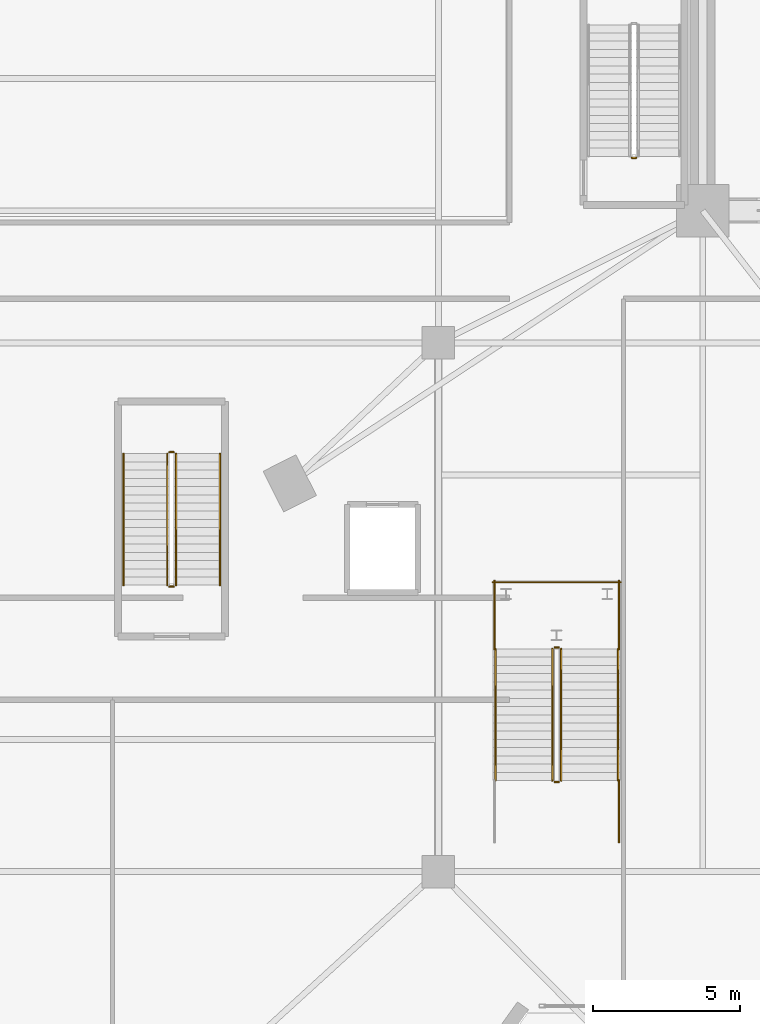
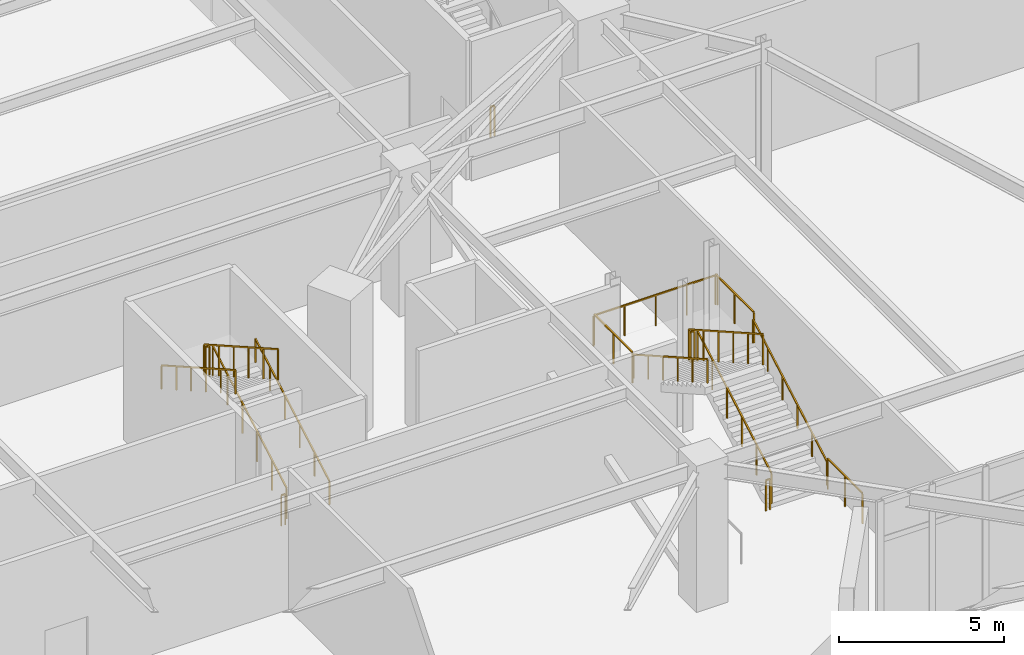
# One storey, part 25 of 30: 17 railings.
"""IFC4 building model written with IfcOpenShell, lengths in metres."""

from ifc_helpers import new_model, si_unit, direction, frame, origin, origin_2d, place, context, subcontext, project, spatial, rectangle, extrude, material, type_object, element, save


model = new_model("IFC4")

# Units and contexts
model_context = context("Model", 3, precision=1e-05, world=origin(), true_north=direction((0.0, 1.0)))
body_context = subcontext(model_context, "Body", "Model", "MODEL_VIEW")
ifc_project = project(units=[si_unit("LENGTHUNIT", "METRE"), si_unit("AREAUNIT", "SQUARE_METRE"), si_unit("VOLUMEUNIT", "CUBIC_METRE"), si_unit("PLANEANGLEUNIT", "RADIAN"), si_unit("MASSUNIT", "GRAM", prefix="KILO")], contexts=[model_context])

# Site, building, storey
site_placement = place(None, origin())
site = spatial("IfcSite", under=ifc_project, at=site_placement, CompositionType="ELEMENT")
building_placement = place(site_placement, origin())
building = spatial("IfcBuilding", under=site, at=building_placement, Name="Liaohun Quay Tower", CompositionType="ELEMENT")
storey_placement = place(building_placement, origin())
storey = spatial("IfcBuildingStorey", under=building, at=storey_placement, Name="L01", CompositionType="ELEMENT", Elevation=0.0)

# Railings
ifc_material_1 = material(Name="Laminated safety glass and stainless steel", Category="steel")
railing_type_1 = type_object("IfcRailingType", Name="RLG-GUARD-ATR", PredefinedType="BALUSTRADE", material=ifc_material_1)
railing_1_placement = place(storey_placement, frame((46.179931640625, 27.10009765625, 0.158935546875)))
element("IfcRailing", 1, at=railing_1_placement, inside=storey, type_object=railing_type_1, Name="L01 ST-A stair guard 1", PredefinedType="BALUSTRADE", context=body_context, shape_type="SweptSolid", body=[
    extrude(rectangle(XDim=0.048095703125, YDim=0.048095703125, at=origin_2d()), frame((0.0, 0.0, 1.1259765625), z_axis=(0.0, 0.869825572089, 0.493359376256), x_axis=(-1.0, 0.0, 0.0)), (0.0, 0.0, 1.0), 5.150390625),
    extrude(rectangle(XDim=0.0419921875, YDim=0.0419921875, at=origin_2d()), origin(), (0.0, 0.0, 1.0), 1.101806640625),
    extrude(rectangle(XDim=0.0419921875, YDim=0.0419921875, at=origin_2d()), frame((0.0, 0.89599609375, 0.50830078125)), (0.0, 0.0, 1.0), 1.101806640625),
    extrude(rectangle(XDim=0.0419921875, YDim=0.0419921875, at=origin_2d()), frame((0.0, 1.7919921875, 1.016357421875)), (0.0, 0.0, 1.0), 1.101806640625),
    extrude(rectangle(XDim=0.0419921875, YDim=0.0419921875, at=origin_2d()), frame((0.0, 2.68798828125, 1.524658203125)), (0.0, 0.0, 1.0), 1.101806640625),
    extrude(rectangle(XDim=0.0419921875, YDim=0.0419921875, at=origin_2d()), frame((0.0, 3.583984375, 2.03271484375)), (0.0, 0.0, 1.0), 1.101806640625),
    extrude(rectangle(XDim=0.0419921875, YDim=0.0419921875, at=origin_2d()), frame((0.0, 4.47998046875, 2.541015625)), (0.0, 0.0, 1.0), 1.101806640625),
])
railing_2_placement = place(storey_placement, frame((46.10009765625, 31.6298828125, 2.699951171875)))
element("IfcRailing", 2, at=railing_2_placement, inside=storey, type_object=railing_type_1, Name="L01 ST-A stair guard 2", PredefinedType="BALUSTRADE", context=body_context, shape_type="SweptSolid", body=[
    extrude(rectangle(XDim=0.048095703125, YDim=0.048095703125, at=origin_2d()), frame((0.0, 0.0, 1.1259765625), z_axis=(-1.0, 0.0, 0.0), x_axis=(0.0, -1.0, 0.0)), (0.0, 0.0, 1.0), 0.14013671875),
    extrude(rectangle(XDim=0.0419921875, YDim=0.0419921875, at=origin_2d()), origin(), (0.0, 0.0, 1.0), 1.101806640625),
    extrude(rectangle(XDim=0.0419921875, YDim=0.0419921875, at=origin_2d()), frame((-0.14013671875, 0.0, 0.0)), (0.0, 0.0, 1.0), 1.101806640625),
])
for number, where, name in (
    (3, (48.14990234375, 31.580078125, 2.699951171875), "L01 ST-A stair guard 3"),
    (4, (43.909912109375, 31.580078125, 2.699951171875), "L01 ST-A stair guard 4"),
):
    element("IfcRailing", number, at=place(storey_placement, frame(where)), inside=storey, type_object=railing_type_1, Name=name, PredefinedType="BALUSTRADE", context=body_context, shape_type="SweptSolid", body=[
        extrude(rectangle(XDim=0.048095703125, YDim=0.048095703125, at=origin_2d()), frame((0.0, 0.0, 1.1259765625), z_axis=(0.0, 1.0, 0.0), x_axis=(-1.0, 0.0, 0.0)), (0.0, 0.0, 1.0), 2.31982421875),
        extrude(rectangle(XDim=0.0419921875, YDim=0.0419921875, at=origin_2d()), origin(), (0.0, 0.0, 1.0), 1.101806640625),
        extrude(rectangle(XDim=0.0419921875, YDim=0.0419921875, at=origin_2d()), frame((0.0, 1.159912109375, 0.0)), (0.0, 0.0, 1.0), 1.101806640625),
        extrude(rectangle(XDim=0.0419921875, YDim=0.0419921875, at=origin_2d()), frame((0.0, 2.31982421875, 0.0)), (0.0, 0.0, 1.0), 1.101806640625),
    ])
railing_3_placement = place(storey_placement, frame((48.199951171875, 33.85009765625, 2.699951171875)))
element("IfcRailing", 5, at=railing_3_placement, inside=storey, type_object=railing_type_1, Name="L01 ST-A stair guard 5", PredefinedType="BALUSTRADE", context=body_context, shape_type="SweptSolid", body=[
    extrude(rectangle(XDim=0.048095703125, YDim=0.048095703125, at=origin_2d()), frame((0.0, 0.0, 1.1259765625), z_axis=(-1.0, 0.0, 0.0), x_axis=(0.0, -1.0, 0.0)), (0.0, 0.0, 1.0), 4.33984375),
    extrude(rectangle(XDim=0.0419921875, YDim=0.0419921875, at=origin_2d()), origin(), (0.0, 0.0, 1.0), 1.101806640625),
    extrude(rectangle(XDim=0.0419921875, YDim=0.0419921875, at=origin_2d()), frame((-1.0849609375, 0.0, 0.0)), (0.0, 0.0, 1.0), 1.101806640625),
    extrude(rectangle(XDim=0.0419921875, YDim=0.0419921875, at=origin_2d()), frame((-2.169921875, 0.0, 0.0)), (0.0, 0.0, 1.0), 1.101806640625),
    extrude(rectangle(XDim=0.0419921875, YDim=0.0419921875, at=origin_2d()), frame((-3.2548828125, 0.0, 0.0)), (0.0, 0.0, 1.0), 1.101806640625),
    extrude(rectangle(XDim=0.0419921875, YDim=0.0419921875, at=origin_2d()), frame((-4.33984375, 0.0, 0.0)), (0.0, 0.0, 1.0), 1.101806640625),
])
railing_4_placement = place(storey_placement, frame((45.8798828125, 31.580078125, 2.85888671875)))
element("IfcRailing", 6, at=railing_4_placement, inside=storey, type_object=railing_type_1, Name="L01 ST-A stair guard 6", PredefinedType="BALUSTRADE", context=body_context, shape_type="SweptSolid", body=[
    extrude(rectangle(XDim=0.048095703125, YDim=0.048095703125, at=origin_2d()), frame((0.0, 0.0, 1.1259765625), z_axis=(0.0, -0.869825572089, 0.493359376256), x_axis=(1.0, 0.0, 0.0)), (0.0, 0.0, 1.0), 5.150390625),
    extrude(rectangle(XDim=0.0419921875, YDim=0.0419921875, at=origin_2d()), origin(), (0.0, 0.0, 1.0), 1.101806640625),
    extrude(rectangle(XDim=0.0419921875, YDim=0.0419921875, at=origin_2d()), frame((0.0, -0.89599609375, 0.50830078125)), (0.0, 0.0, 1.0), 1.101806640625),
    extrude(rectangle(XDim=0.0419921875, YDim=0.0419921875, at=origin_2d()), frame((0.0, -1.7919921875, 1.016357421875)), (0.0, 0.0, 1.0), 1.101806640625),
    extrude(rectangle(XDim=0.0419921875, YDim=0.0419921875, at=origin_2d()), frame((0.0, -2.68798828125, 1.524658203125)), (0.0, 0.0, 1.0), 1.101806640625),
    extrude(rectangle(XDim=0.0419921875, YDim=0.0419921875, at=origin_2d()), frame((0.0, -3.583984375, 2.03271484375)), (0.0, 0.0, 1.0), 1.101806640625),
    extrude(rectangle(XDim=0.0419921875, YDim=0.0419921875, at=origin_2d()), frame((0.0, -4.47998046875, 2.541015625)), (0.0, 0.0, 1.0), 1.101806640625),
])
railing_5_placement = place(storey_placement, frame((46.10009765625, 27.050048828125, 0.0)))
element("IfcRailing", 7, at=railing_5_placement, inside=storey, type_object=railing_type_1, Name="L01 ST-A stair guard 7", PredefinedType="BALUSTRADE", context=body_context, shape_type="SweptSolid", body=[
    extrude(rectangle(XDim=0.048095703125, YDim=0.048095703125, at=origin_2d()), frame((0.0, 0.0, 1.1259765625), z_axis=(-1.0, 0.0, 0.0), x_axis=(0.0, -1.0, 0.0)), (0.0, 0.0, 1.0), 0.14013671875),
    extrude(rectangle(XDim=0.0419921875, YDim=0.0419921875, at=origin_2d()), origin(), (0.0, 0.0, 1.0), 1.101806640625),
    extrude(rectangle(XDim=0.0419921875, YDim=0.0419921875, at=origin_2d()), frame((-0.14013671875, 0.0, 0.0)), (0.0, 0.0, 1.0), 1.101806640625),
])
railing_6_placement = place(storey_placement, frame((48.14990234375, 25.0, 0.0)))
element("IfcRailing", 8, at=railing_6_placement, inside=storey, type_object=railing_type_1, Name="L01 ST-A stair guard 8", PredefinedType="BALUSTRADE", context=body_context, shape_type="SweptSolid", body=[
    extrude(rectangle(XDim=0.048095703125, YDim=0.048095703125, at=origin_2d()), frame((0.0, 0.0, 1.1259765625), z_axis=(0.0, 1.0, 0.0), x_axis=(-1.0, 0.0, 0.0)), (0.0, 0.0, 1.0), 2.10009765625),
    extrude(rectangle(XDim=0.0419921875, YDim=0.0419921875, at=origin_2d()), origin(), (0.0, 0.0, 1.0), 1.101806640625),
    extrude(rectangle(XDim=0.0419921875, YDim=0.0419921875, at=origin_2d()), frame((0.0, 1.050048828125, 0.0)), (0.0, 0.0, 1.0), 1.101806640625),
    extrude(rectangle(XDim=0.0419921875, YDim=0.0419921875, at=origin_2d()), frame((0.0, 2.10009765625, 0.0)), (0.0, 0.0, 1.0), 1.101806640625),
])
ifc_material_2 = material(Name="Painted tubular steel", Category="steel")
railing_type_2 = type_object("IfcRailingType", Name="RLG-GUARD-STR", PredefinedType="GUARDRAIL", material=ifc_material_2)
railing_7_placement = place(storey_placement, frame((48.72998046875, 48.300048828125, 0.0)))
element("IfcRailing", 9, at=railing_7_placement, inside=storey, type_object=railing_type_2, Name="L01 ST-1 stair guard 4", PredefinedType="GUARDRAIL", context=body_context, shape_type="SweptSolid", body=[
    extrude(rectangle(XDim=0.048095703125, YDim=0.048095703125, at=origin_2d()), frame((0.0, 0.0, 1.1259765625), z_axis=(-1.0, 0.0, 0.0), x_axis=(0.0, -1.0, 0.0)), (0.0, 0.0, 1.0), 0.139892578125),
    extrude(rectangle(XDim=0.0419921875, YDim=0.0419921875, at=origin_2d()), origin(), (0.0, 0.0, 1.0), 1.101806640625),
    extrude(rectangle(XDim=0.0419921875, YDim=0.0419921875, at=origin_2d()), frame((-0.139892578125, 0.0, 0.0)), (0.0, 0.0, 1.0), 1.101806640625),
])
railing_8_placement = place(storey_placement, frame((33.070068359375, 33.75, 0.158935546875)))
element("IfcRailing", 10, at=railing_8_placement, inside=storey, type_object=railing_type_2, Name="L01 ST-P1 stair guard 1", PredefinedType="GUARDRAIL", context=body_context, shape_type="SweptSolid", body=[
    extrude(rectangle(XDim=0.048095703125, YDim=0.048095703125, at=origin_2d()), frame((0.0, 0.0, 1.1259765625), z_axis=(0.0, 0.869825572089, 0.493359376256), x_axis=(-1.0, 0.0, 0.0)), (0.0, 0.0, 1.0), 5.150390625),
    extrude(rectangle(XDim=0.0419921875, YDim=0.0419921875, at=origin_2d()), origin(), (0.0, 0.0, 1.0), 1.101806640625),
    extrude(rectangle(XDim=0.0419921875, YDim=0.0419921875, at=origin_2d()), frame((0.0, 0.89599609375, 0.50830078125)), (0.0, 0.0, 1.0), 1.101806640625),
    extrude(rectangle(XDim=0.0419921875, YDim=0.0419921875, at=origin_2d()), frame((0.0, 1.7919921875, 1.016357421875)), (0.0, 0.0, 1.0), 1.101806640625),
    extrude(rectangle(XDim=0.0419921875, YDim=0.0419921875, at=origin_2d()), frame((0.0, 2.68798828125, 1.524658203125)), (0.0, 0.0, 1.0), 1.101806640625),
    extrude(rectangle(XDim=0.0419921875, YDim=0.0419921875, at=origin_2d()), frame((0.0, 3.583984375, 2.03271484375)), (0.0, 0.0, 1.0), 1.101806640625),
    extrude(rectangle(XDim=0.0419921875, YDim=0.0419921875, at=origin_2d()), frame((0.0, 4.47998046875, 2.541015625)), (0.0, 0.0, 1.0), 1.101806640625),
])
railing_9_placement = place(storey_placement, frame((32.989990234375, 38.280029296875, 2.699951171875)))
element("IfcRailing", 11, at=railing_9_placement, inside=storey, type_object=railing_type_2, Name="L01 ST-P1 stair guard 2", PredefinedType="GUARDRAIL", context=body_context, shape_type="SweptSolid", body=[
    extrude(rectangle(XDim=0.048095703125, YDim=0.048095703125, at=origin_2d()), frame((0.0, 0.0, 1.1259765625), z_axis=(-1.0, 0.0, 0.0), x_axis=(0.0, -1.0, 0.0)), (0.0, 0.0, 1.0), 0.139892578125),
    extrude(rectangle(XDim=0.0419921875, YDim=0.0419921875, at=origin_2d()), origin(), (0.0, 0.0, 1.0), 1.101806640625),
    extrude(rectangle(XDim=0.0419921875, YDim=0.0419921875, at=origin_2d()), frame((-0.139892578125, 0.0, 0.0)), (0.0, 0.0, 1.0), 1.101806640625),
])
railing_10_placement = place(storey_placement, frame((32.77001953125, 38.22998046875, 2.85888671875)))
element("IfcRailing", 12, at=railing_10_placement, inside=storey, type_object=railing_type_2, Name="L01 ST-P1 stair guard 3", PredefinedType="GUARDRAIL", context=body_context, shape_type="SweptSolid", body=[
    extrude(rectangle(XDim=0.048095703125, YDim=0.048095703125, at=origin_2d()), frame((0.0, 0.0, 1.1259765625), z_axis=(0.0, -0.869825572089, 0.493359376256), x_axis=(1.0, 0.0, 0.0)), (0.0, 0.0, 1.0), 5.150390625),
    extrude(rectangle(XDim=0.0419921875, YDim=0.0419921875, at=origin_2d()), origin(), (0.0, 0.0, 1.0), 1.101806640625),
    extrude(rectangle(XDim=0.0419921875, YDim=0.0419921875, at=origin_2d()), frame((0.0, -0.89599609375, 0.50830078125)), (0.0, 0.0, 1.0), 1.101806640625),
    extrude(rectangle(XDim=0.0419921875, YDim=0.0419921875, at=origin_2d()), frame((0.0, -1.7919921875, 1.016357421875)), (0.0, 0.0, 1.0), 1.101806640625),
    extrude(rectangle(XDim=0.0419921875, YDim=0.0419921875, at=origin_2d()), frame((0.0, -2.68798828125, 1.524658203125)), (0.0, 0.0, 1.0), 1.101806640625),
    extrude(rectangle(XDim=0.0419921875, YDim=0.0419921875, at=origin_2d()), frame((0.0, -3.583984375, 2.03271484375)), (0.0, 0.0, 1.0), 1.101806640625),
    extrude(rectangle(XDim=0.0419921875, YDim=0.0419921875, at=origin_2d()), frame((0.0, -4.47998046875, 2.541015625)), (0.0, 0.0, 1.0), 1.101806640625),
])
railing_11_placement = place(storey_placement, frame((32.989990234375, 33.699951171875, 0.0)))
element("IfcRailing", 13, at=railing_11_placement, inside=storey, type_object=railing_type_2, Name="L01 ST-P1 stair guard 4", PredefinedType="GUARDRAIL", context=body_context, shape_type="SweptSolid", body=[
    extrude(rectangle(XDim=0.048095703125, YDim=0.048095703125, at=origin_2d()), frame((0.0, 0.0, 1.1259765625), z_axis=(-1.0, 0.0, 0.0), x_axis=(0.0, -1.0, 0.0)), (0.0, 0.0, 1.0), 0.139892578125),
    extrude(rectangle(XDim=0.0419921875, YDim=0.0419921875, at=origin_2d()), origin(), (0.0, 0.0, 1.0), 1.101806640625),
    extrude(rectangle(XDim=0.0419921875, YDim=0.0419921875, at=origin_2d()), frame((-0.139892578125, 0.0, 0.0)), (0.0, 0.0, 1.0), 1.101806640625),
])
ifc_material_3 = material(Name="Brushed stainless steel", Category="steel")
railing_type_3 = type_object("IfcRailingType", Name="RLG-HND-STR", PredefinedType="HANDRAIL", material=ifc_material_3)
railing_12_placement = place(storey_placement, frame((34.56005859375, 33.75, 0.158935546875)))
element("IfcRailing", 14, at=railing_12_placement, inside=storey, type_object=railing_type_3, Name="L01 ST-P1 stair handrail 1", PredefinedType="HANDRAIL", context=body_context, shape_type="SweptSolid", body=[
    extrude(rectangle(XDim=0.048095703125, YDim=0.048095703125, at=origin_2d()), frame((0.0, 0.0, 0.8759765625), z_axis=(0.0, 0.869825572089, 0.493359376256), x_axis=(-1.0, 0.0, 0.0)), (0.0, 0.0, 1.0), 5.150390625),
    extrude(rectangle(XDim=0.0419921875, YDim=0.0419921875, at=origin_2d()), origin(), (0.0, 0.0, 1.0), 0.851806640625),
    extrude(rectangle(XDim=0.0419921875, YDim=0.0419921875, at=origin_2d()), frame((0.0, 0.89599609375, 0.50830078125)), (0.0, 0.0, 1.0), 0.851806640625),
    extrude(rectangle(XDim=0.0419921875, YDim=0.0419921875, at=origin_2d()), frame((0.0, 1.7919921875, 1.016357421875)), (0.0, 0.0, 1.0), 0.851806640625),
    extrude(rectangle(XDim=0.0419921875, YDim=0.0419921875, at=origin_2d()), frame((0.0, 2.68798828125, 1.524658203125)), (0.0, 0.0, 1.0), 0.851806640625),
    extrude(rectangle(XDim=0.0419921875, YDim=0.0419921875, at=origin_2d()), frame((0.0, 3.583984375, 2.03271484375)), (0.0, 0.0, 1.0), 0.851806640625),
    extrude(rectangle(XDim=0.0419921875, YDim=0.0419921875, at=origin_2d()), frame((0.0, 4.47998046875, 2.541015625)), (0.0, 0.0, 1.0), 0.851806640625),
])
railing_13_placement = place(storey_placement, frame((31.280029296875, 38.22998046875, 2.85888671875)))
element("IfcRailing", 15, at=railing_13_placement, inside=storey, type_object=railing_type_3, Name="L01 ST-P1 stair handrail 2", PredefinedType="HANDRAIL", context=body_context, shape_type="SweptSolid", body=[
    extrude(rectangle(XDim=0.048095703125, YDim=0.048095703125, at=origin_2d()), frame((0.0, 0.0, 0.8759765625), z_axis=(0.0, -0.869825572089, 0.493359376256), x_axis=(1.0, 0.0, 0.0)), (0.0, 0.0, 1.0), 5.150390625),
    extrude(rectangle(XDim=0.0419921875, YDim=0.0419921875, at=origin_2d()), origin(), (0.0, 0.0, 1.0), 0.851806640625),
    extrude(rectangle(XDim=0.0419921875, YDim=0.0419921875, at=origin_2d()), frame((0.0, -0.89599609375, 0.50830078125)), (0.0, 0.0, 1.0), 0.851806640625),
    extrude(rectangle(XDim=0.0419921875, YDim=0.0419921875, at=origin_2d()), frame((0.0, -1.7919921875, 1.016357421875)), (0.0, 0.0, 1.0), 0.851806640625),
    extrude(rectangle(XDim=0.0419921875, YDim=0.0419921875, at=origin_2d()), frame((0.0, -2.68798828125, 1.524658203125)), (0.0, 0.0, 1.0), 0.851806640625),
    extrude(rectangle(XDim=0.0419921875, YDim=0.0419921875, at=origin_2d()), frame((0.0, -3.583984375, 2.03271484375)), (0.0, 0.0, 1.0), 0.851806640625),
    extrude(rectangle(XDim=0.0419921875, YDim=0.0419921875, at=origin_2d()), frame((0.0, -4.47998046875, 2.541015625)), (0.0, 0.0, 1.0), 0.851806640625),
])
railing_14_placement = place(storey_placement, frame((48.1201171875, 27.10009765625, 0.158935546875)))
element("IfcRailing", 16, at=railing_14_placement, inside=storey, type_object=railing_type_3, Name="L01 ST-A stair handrail 1", PredefinedType="HANDRAIL", context=body_context, shape_type="SweptSolid", body=[
    extrude(rectangle(XDim=0.048095703125, YDim=0.048095703125, at=origin_2d()), frame((0.0, 0.0, 0.8759765625), z_axis=(0.0, 0.869825572089, 0.493359376256), x_axis=(-1.0, 0.0, 0.0)), (0.0, 0.0, 1.0), 5.150390625),
    extrude(rectangle(XDim=0.0419921875, YDim=0.0419921875, at=origin_2d()), origin(), (0.0, 0.0, 1.0), 0.851806640625),
    extrude(rectangle(XDim=0.0419921875, YDim=0.0419921875, at=origin_2d()), frame((0.0, 0.89599609375, 0.50830078125)), (0.0, 0.0, 1.0), 0.851806640625),
    extrude(rectangle(XDim=0.0419921875, YDim=0.0419921875, at=origin_2d()), frame((0.0, 1.7919921875, 1.016357421875)), (0.0, 0.0, 1.0), 0.851806640625),
    extrude(rectangle(XDim=0.0419921875, YDim=0.0419921875, at=origin_2d()), frame((0.0, 2.68798828125, 1.524658203125)), (0.0, 0.0, 1.0), 0.851806640625),
    extrude(rectangle(XDim=0.0419921875, YDim=0.0419921875, at=origin_2d()), frame((0.0, 3.583984375, 2.03271484375)), (0.0, 0.0, 1.0), 0.851806640625),
    extrude(rectangle(XDim=0.0419921875, YDim=0.0419921875, at=origin_2d()), frame((0.0, 4.47998046875, 2.541015625)), (0.0, 0.0, 1.0), 0.851806640625),
])
railing_15_placement = place(storey_placement, frame((43.93994140625, 31.580078125, 2.85888671875)))
element("IfcRailing", 17, at=railing_15_placement, inside=storey, type_object=railing_type_3, Name="L01 ST-A stair handrail 2", PredefinedType="HANDRAIL", context=body_context, shape_type="SweptSolid", body=[
    extrude(rectangle(XDim=0.048095703125, YDim=0.048095703125, at=origin_2d()), frame((0.0, 0.0, 0.8759765625), z_axis=(0.0, -0.869825572089, 0.493359376256), x_axis=(1.0, 0.0, 0.0)), (0.0, 0.0, 1.0), 5.150390625),
    extrude(rectangle(XDim=0.0419921875, YDim=0.0419921875, at=origin_2d()), origin(), (0.0, 0.0, 1.0), 0.851806640625),
    extrude(rectangle(XDim=0.0419921875, YDim=0.0419921875, at=origin_2d()), frame((0.0, -0.89599609375, 0.50830078125)), (0.0, 0.0, 1.0), 0.851806640625),
    extrude(rectangle(XDim=0.0419921875, YDim=0.0419921875, at=origin_2d()), frame((0.0, -1.7919921875, 1.016357421875)), (0.0, 0.0, 1.0), 0.851806640625),
    extrude(rectangle(XDim=0.0419921875, YDim=0.0419921875, at=origin_2d()), frame((0.0, -2.68798828125, 1.524658203125)), (0.0, 0.0, 1.0), 0.851806640625),
    extrude(rectangle(XDim=0.0419921875, YDim=0.0419921875, at=origin_2d()), frame((0.0, -3.583984375, 2.03271484375)), (0.0, 0.0, 1.0), 0.851806640625),
    extrude(rectangle(XDim=0.0419921875, YDim=0.0419921875, at=origin_2d()), frame((0.0, -4.47998046875, 2.541015625)), (0.0, 0.0, 1.0), 0.851806640625),
])

save(model, "model.ifc")
